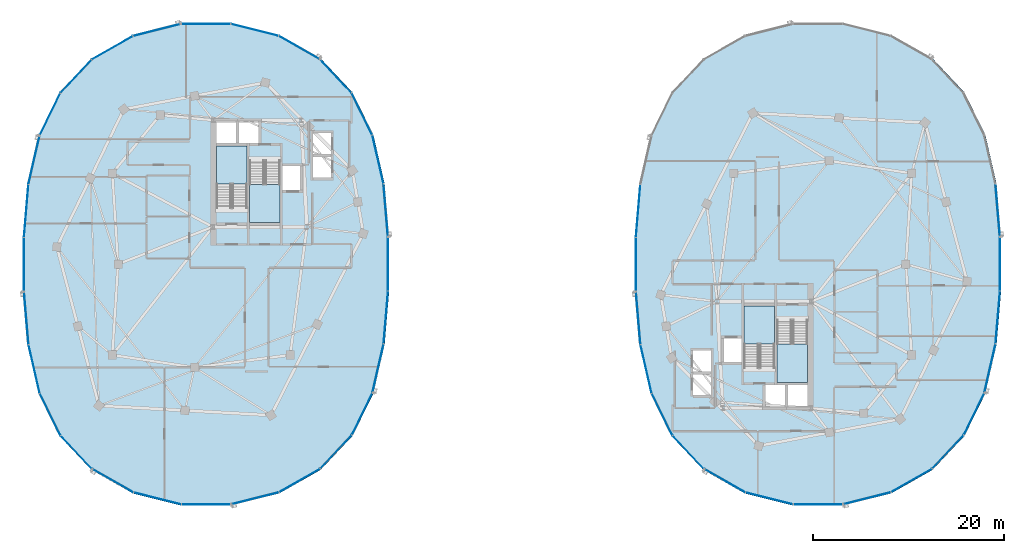
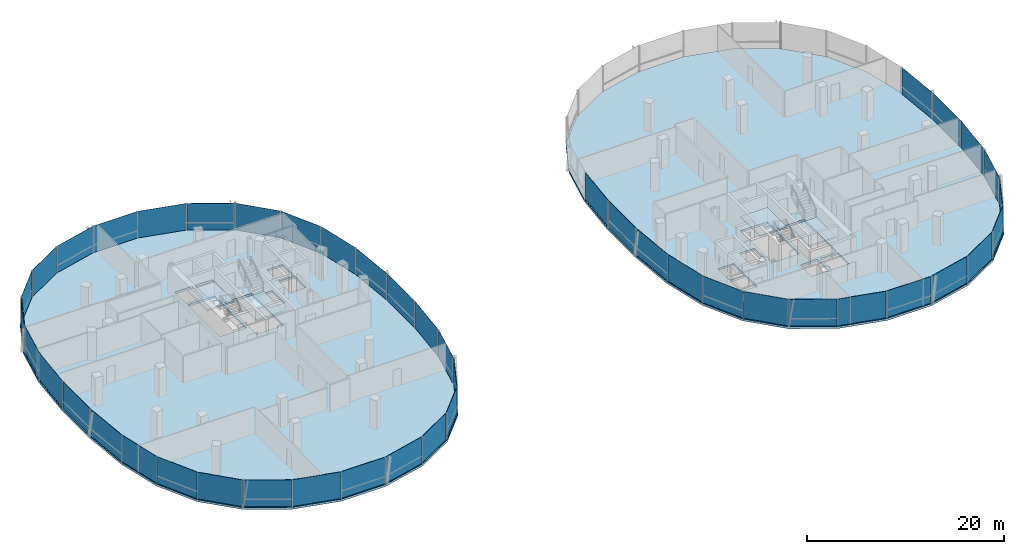
# One storey, part 13 of 25: 45 plates, 6 slabs, 12 elements without a shape of their own.
"""IFC4 building model written with IfcOpenShell, lengths in metres."""

from ifc_helpers import new_model, si_unit, direction, frame, origin, origin_2d, place, context, subcontext, project, spatial, polyline, rectangle, outline, extrude, material, layer, layer_set, type_object, element, aggregate, save


model = new_model("IFC4")

# Units and contexts
model_context = context("Model", 3, precision=1e-05, world=origin(), true_north=direction((0.0, 1.0)))
body_context = subcontext(model_context, "Body", "Model", "MODEL_VIEW")
ifc_project = project(units=[si_unit("LENGTHUNIT", "METRE"), si_unit("AREAUNIT", "SQUARE_METRE"), si_unit("VOLUMEUNIT", "CUBIC_METRE"), si_unit("PLANEANGLEUNIT", "RADIAN"), si_unit("MASSUNIT", "GRAM", prefix="KILO"), si_unit("THERMODYNAMICTEMPERATUREUNIT", "KELVIN"), si_unit("POWERUNIT", "WATT")], contexts=[model_context])

# Site, building, storey
site_placement = place(None, origin())
site = spatial("IfcSite", under=ifc_project, at=site_placement, CompositionType="ELEMENT")
building_placement = place(site_placement, origin())
building = spatial("IfcBuilding", under=site, at=building_placement, Name="Cundina Bronze Exchange", CompositionType="ELEMENT")
storey_placement = place(building_placement, frame((0.0, 0.0, 217.0)))
storey = spatial("IfcBuildingStorey", under=building, at=storey_placement, Name="L57", CompositionType="ELEMENT", Elevation=217.0)

# Curtain wall, plates
ifc_material_1 = material(Name="Anodised Bronze Aluminium 6063-T6", Category="aluminium")
curtain_wall_type = type_object("IfcCurtainWallType", Name="CWS-UPP-OFF", PredefinedType="NOTDEFINED", material=ifc_material_1)
curtain_wall_1_placement = place(storey_placement, origin())
curtain_wall_1 = element("IfcCurtainWall", 1, at=curtain_wall_1_placement, inside=storey, type_object=curtain_wall_type, Name="L57 CW-05 Curtain Wall Run CWR-L57-W1", PredefinedType="NOTDEFINED")
ifc_material_2 = material(Name="Heat-Strengthened Solar-Control Bronze Safety Glass 28mm", Category="glass")
ifc_layer_1 = layer(ifc_material_2, 0.028076171875, Name="Heat-Strengthened Solar-Control Bronze Safety Glass 28mm", Category="glass")
ifc_layer_set_1 = layer_set([ifc_layer_1], Name="Heat-Strengthened Solar-Control Bronze Safety Glass 28mm")
plate_type_1 = type_object("IfcPlateType", Name="PLT-GLZ-VIS28", PredefinedType="CURTAIN_PANEL", material=ifc_layer_set_1)
plate_1_placement = place(storey_placement, frame((-13.198486328125, 5.60693359375, 0.02001953125), z_axis=(0.0, 0.0, 1.0), x_axis=(-0.083747411454, 0.996487015006, 0.0)))
plate_1 = element("IfcPlate", 2, at=plate_1_placement, type_object=plate_type_1, Name="CW-05 Glazed Panel 1", PredefinedType="CURTAIN_PANEL", context=body_context, shape_type="SweptSolid", body=[
    extrude(rectangle(XDim=5.474609375, YDim=0.028076171875, at=origin_2d()), origin(), (0.0, 0.0, 1.0), 3.300048828125),
])
plate_2_placement = place(storey_placement, frame((-14.01611328125, 10.92578125, 0.02001953125), z_axis=(0.0, 0.0, 1.0), x_axis=(-0.223284141459, 0.974753400698, 0.0)))
plate_2 = element("IfcPlate", 3, at=plate_2_placement, type_object=plate_type_1, Name="CW-05 Glazed Panel 2", PredefinedType="CURTAIN_PANEL", context=body_context, shape_type="SweptSolid", body=[
    extrude(rectangle(XDim=5.167724609375, YDim=0.028076171875, at=origin_2d()), origin(), (0.0, 0.0, 1.0), 3.300048828125),
])
plate_3_placement = place(storey_placement, frame((-18.4208984375, 19.6552734375, 0.02001953125), z_axis=(0.0, 0.0, 1.0), x_axis=(-0.684343512797, 0.72915976061, 0.0)))
plate_3 = element("IfcPlate", 4, at=plate_3_placement, type_object=plate_type_1, Name="CW-05 Glazed Panel 4", PredefinedType="CURTAIN_PANEL", context=body_context, shape_type="SweptSolid", body=[
    extrude(rectangle(XDim=4.773193359375, YDim=0.028076171875, at=origin_2d()), origin(), (0.0, 0.0, 1.0), 3.300048828125),
])
plate_4_placement = place(storey_placement, frame((-22.230712890625, 22.64111328125, 0.02001953125), z_axis=(0.0, 0.0, 1.0), x_axis=(-0.869572506985, 0.493805280547, 0.0)))
plate_4 = element("IfcPlate", 5, at=plate_4_placement, type_object=plate_type_1, Name="CW-05 Glazed Panel 5", PredefinedType="CURTAIN_PANEL", context=body_context, shape_type="SweptSolid", body=[
    extrude(rectangle(XDim=4.907958984375, YDim=0.028076171875, at=origin_2d()), origin(), (0.0, 0.0, 1.0), 3.300048828125),
])
plate_5_placement = place(storey_placement, frame((-26.88720703125, 24.49609375, 0.02001953125), z_axis=(0.0, 0.0, 1.0), x_axis=(-0.969731542251, 0.244173577528, 0.0)))
plate_5 = element("IfcPlate", 6, at=plate_5_placement, type_object=plate_type_1, Name="CW-05 Glazed Panel 6", PredefinedType="CURTAIN_PANEL", context=body_context, shape_type="SweptSolid", body=[
    extrude(rectangle(XDim=5.0908203125, YDim=0.028076171875, at=origin_2d()), origin(), (0.0, 0.0, 1.0), 3.300048828125),
])
plate_6_placement = place(storey_placement, frame((-32.0, 25.125, 0.02001953125), z_axis=(0.0, 0.0, 1.0), x_axis=(-1.0, 0.0, 0.0)))
plate_6 = element("IfcPlate", 7, at=plate_6_placement, type_object=plate_type_1, Name="CW-05 Glazed Panel 7", PredefinedType="CURTAIN_PANEL", context=body_context, shape_type="SweptSolid", body=[
    extrude(rectangle(XDim=5.16796875, YDim=0.028076171875, at=origin_2d()), origin(), (0.0, 0.0, 1.0), 3.300048828125),
])

curtain_wall_2_placement = place(storey_placement, origin())
curtain_wall_2 = element("IfcCurtainWall", 8, at=curtain_wall_2_placement, inside=storey, type_object=curtain_wall_type, Name="L57 CW-05 Curtain Wall Run CWR-L57-W2", PredefinedType="NOTDEFINED")
plate_7_placement = place(storey_placement, frame((-37.11279296875, 24.49609375, 0.02001953125), z_axis=(0.0, 0.0, 1.0), x_axis=(-0.969731542251, -0.244173577528, 0.0)))
plate_7 = element("IfcPlate", 9, at=plate_7_placement, type_object=plate_type_1, Name="CW-05 Glazed Panel 1", PredefinedType="CURTAIN_PANEL", context=body_context, shape_type="SweptSolid", body=[
    extrude(rectangle(XDim=5.0908203125, YDim=0.028076171875, at=origin_2d()), origin(), (0.0, 0.0, 1.0), 3.300048828125),
])
plate_8_placement = place(storey_placement, frame((-45.5791015625, 19.6552734375, 0.02001953125), z_axis=(0.0, 0.0, 1.0), x_axis=(-0.684343512797, -0.72915976061, 0.0)))
plate_8 = element("IfcPlate", 10, at=plate_8_placement, type_object=plate_type_1, Name="CW-05 Glazed Panel 3", PredefinedType="CURTAIN_PANEL", context=body_context, shape_type="SweptSolid", body=[
    extrude(rectangle(XDim=4.773193359375, YDim=0.028076171875, at=origin_2d()), origin(), (0.0, 0.0, 1.0), 3.300048828125),
])
plate_9_placement = place(storey_placement, frame((-48.314697265625, 15.686767578125, 0.02001953125), z_axis=(0.0, 0.0, 1.0), x_axis=(-0.440503330345, -0.897750976582, 0.0)))
plate_9 = element("IfcPlate", 11, at=plate_9_placement, type_object=plate_type_1, Name="CW-05 Glazed Panel 4", PredefinedType="CURTAIN_PANEL", context=body_context, shape_type="SweptSolid", body=[
    extrude(rectangle(XDim=4.863525390625, YDim=0.028076171875, at=origin_2d()), origin(), (0.0, 0.0, 1.0), 3.300048828125),
])
plate_10_placement = place(storey_placement, frame((-49.98388671875, 10.92578125, 0.02001953125), z_axis=(0.0, 0.0, 1.0), x_axis=(-0.223284141459, -0.974753400698, 0.0)))
plate_10 = element("IfcPlate", 12, at=plate_10_placement, type_object=plate_type_1, Name="CW-05 Glazed Panel 5", PredefinedType="CURTAIN_PANEL", context=body_context, shape_type="SweptSolid", body=[
    extrude(rectangle(XDim=5.167724609375, YDim=0.028076171875, at=origin_2d()), origin(), (0.0, 0.0, 1.0), 3.300048828125),
])
plate_11_placement = place(storey_placement, frame((-50.801513671875, 5.60693359375, 0.02001953125), z_axis=(0.0, 0.0, 1.0), x_axis=(-0.083747411454, -0.996487015006, 0.0)))
plate_11 = element("IfcPlate", 13, at=plate_11_placement, type_object=plate_type_1, Name="CW-05 Glazed Panel 6", PredefinedType="CURTAIN_PANEL", context=body_context, shape_type="SweptSolid", body=[
    extrude(rectangle(XDim=5.474609375, YDim=0.028076171875, at=origin_2d()), origin(), (0.0, 0.0, 1.0), 3.300048828125),
])

curtain_wall_3_placement = place(storey_placement, origin())
curtain_wall_3 = element("IfcCurtainWall", 14, at=curtain_wall_3_placement, inside=storey, type_object=curtain_wall_type, Name="L57 CW-05 Curtain Wall Run CWR-L57-W3", PredefinedType="NOTDEFINED")
plate_12_placement = place(storey_placement, frame((-49.98388671875, -10.92578125, 0.02001953125), z_axis=(0.0, 0.0, 1.0), x_axis=(0.223284141459, -0.974753400698, 0.0)))
plate_12 = element("IfcPlate", 15, at=plate_12_placement, type_object=plate_type_1, Name="CW-05 Glazed Panel 2", PredefinedType="CURTAIN_PANEL", context=body_context, shape_type="SweptSolid", body=[
    extrude(rectangle(XDim=5.167724609375, YDim=0.028076171875, at=origin_2d()), origin(), (0.0, 0.0, 1.0), 3.300048828125),
])
plate_13_placement = place(storey_placement, frame((-48.314697265625, -15.686767578125, 0.02001953125), z_axis=(0.0, 0.0, 1.0), x_axis=(0.440503330345, -0.897750976582, 0.0)))
plate_13 = element("IfcPlate", 16, at=plate_13_placement, type_object=plate_type_1, Name="CW-05 Glazed Panel 3", PredefinedType="CURTAIN_PANEL", context=body_context, shape_type="SweptSolid", body=[
    extrude(rectangle(XDim=4.863525390625, YDim=0.028076171875, at=origin_2d()), origin(), (0.0, 0.0, 1.0), 3.300048828125),
])
plate_14_placement = place(storey_placement, frame((-45.5791015625, -19.6552734375, 0.02001953125), z_axis=(0.0, 0.0, 1.0), x_axis=(0.684343512797, -0.72915976061, 0.0)))
plate_14 = element("IfcPlate", 17, at=plate_14_placement, type_object=plate_type_1, Name="CW-05 Glazed Panel 4", PredefinedType="CURTAIN_PANEL", context=body_context, shape_type="SweptSolid", body=[
    extrude(rectangle(XDim=4.773193359375, YDim=0.028076171875, at=origin_2d()), origin(), (0.0, 0.0, 1.0), 3.300048828125),
])
plate_15_placement = place(storey_placement, frame((-41.769287109375, -22.64111328125, 0.02001953125), z_axis=(0.0, 0.0, 1.0), x_axis=(0.869572506985, -0.493805280547, 0.0)))
plate_15 = element("IfcPlate", 18, at=plate_15_placement, type_object=plate_type_1, Name="CW-05 Glazed Panel 5", PredefinedType="CURTAIN_PANEL", context=body_context, shape_type="SweptSolid", body=[
    extrude(rectangle(XDim=4.907958984375, YDim=0.028076171875, at=origin_2d()), origin(), (0.0, 0.0, 1.0), 3.300048828125),
])
plate_16_placement = place(storey_placement, frame((-32.0, -25.125, 0.02001953125), z_axis=(0.0, 0.0, 1.0), x_axis=(1.0, 0.0, 0.0)))
plate_16 = element("IfcPlate", 19, at=plate_16_placement, type_object=plate_type_1, Name="CW-05 Glazed Panel 7", PredefinedType="CURTAIN_PANEL", context=body_context, shape_type="SweptSolid", body=[
    extrude(rectangle(XDim=5.16796875, YDim=0.028076171875, at=origin_2d()), origin(), (0.0, 0.0, 1.0), 3.300048828125),
])

curtain_wall_4_placement = place(storey_placement, origin())
curtain_wall_4 = element("IfcCurtainWall", 20, at=curtain_wall_4_placement, inside=storey, type_object=curtain_wall_type, Name="L57 CW-05 Curtain Wall Run CWR-L57-W4", PredefinedType="NOTDEFINED")
plate_17_placement = place(storey_placement, frame((-26.88720703125, -24.49609375, 0.02001953125), z_axis=(0.0, 0.0, 1.0), x_axis=(0.969731542251, 0.244173577528, 0.0)))
plate_17 = element("IfcPlate", 21, at=plate_17_placement, type_object=plate_type_1, Name="CW-05 Glazed Panel 1", PredefinedType="CURTAIN_PANEL", context=body_context, shape_type="SweptSolid", body=[
    extrude(rectangle(XDim=5.0908203125, YDim=0.028076171875, at=origin_2d()), origin(), (0.0, 0.0, 1.0), 3.300048828125),
])
plate_18_placement = place(storey_placement, frame((-22.230712890625, -22.64111328125, 0.02001953125), z_axis=(0.0, 0.0, 1.0), x_axis=(0.869572506985, 0.493805280547, 0.0)))
plate_18 = element("IfcPlate", 22, at=plate_18_placement, type_object=plate_type_1, Name="CW-05 Glazed Panel 2", PredefinedType="CURTAIN_PANEL", context=body_context, shape_type="SweptSolid", body=[
    extrude(rectangle(XDim=4.907958984375, YDim=0.028076171875, at=origin_2d()), origin(), (0.0, 0.0, 1.0), 3.300048828125),
])
plate_19_placement = place(storey_placement, frame((-18.4208984375, -19.6552734375, 0.02001953125), z_axis=(0.0, 0.0, 1.0), x_axis=(0.684343512797, 0.72915976061, 0.0)))
plate_19 = element("IfcPlate", 23, at=plate_19_placement, type_object=plate_type_1, Name="CW-05 Glazed Panel 3", PredefinedType="CURTAIN_PANEL", context=body_context, shape_type="SweptSolid", body=[
    extrude(rectangle(XDim=4.773193359375, YDim=0.028076171875, at=origin_2d()), origin(), (0.0, 0.0, 1.0), 3.300048828125),
])
plate_20_placement = place(storey_placement, frame((-15.685302734375, -15.686767578125, 0.02001953125), z_axis=(0.0, 0.0, 1.0), x_axis=(0.440503330345, 0.897750976582, 0.0)))
plate_20 = element("IfcPlate", 24, at=plate_20_placement, type_object=plate_type_1, Name="CW-05 Glazed Panel 4", PredefinedType="CURTAIN_PANEL", context=body_context, shape_type="SweptSolid", body=[
    extrude(rectangle(XDim=4.863525390625, YDim=0.028076171875, at=origin_2d()), origin(), (0.0, 0.0, 1.0), 3.300048828125),
])
plate_21_placement = place(storey_placement, frame((-13.198486328125, -5.60693359375, 0.02001953125), z_axis=(0.0, 0.0, 1.0), x_axis=(0.083747411454, 0.996487015006, 0.0)))
plate_21 = element("IfcPlate", 25, at=plate_21_placement, type_object=plate_type_1, Name="CW-05 Glazed Panel 6", PredefinedType="CURTAIN_PANEL", context=body_context, shape_type="SweptSolid", body=[
    extrude(rectangle(XDim=5.474609375, YDim=0.028076171875, at=origin_2d()), origin(), (0.0, 0.0, 1.0), 3.300048828125),
])
plate_22_placement = place(storey_placement, frame((-12.966064453125, 0.0, 0.02001953125), z_axis=(0.0, 0.0, 1.0), x_axis=(0.0, 1.0, 0.0)))
plate_22 = element("IfcPlate", 26, at=plate_22_placement, type_object=plate_type_1, Name="CW-05 Glazed Panel 7", PredefinedType="CURTAIN_PANEL", context=body_context, shape_type="SweptSolid", body=[
    extrude(rectangle(XDim=5.597900390625, YDim=0.028076171875, at=origin_2d()), origin(), (0.0, 0.0, 1.0), 3.300048828125),
])

# Curtain wall, plate
curtain_wall_5_placement = place(storey_placement, origin())
curtain_wall_5 = element("IfcCurtainWall", 27, at=curtain_wall_5_placement, inside=storey, type_object=curtain_wall_type, Name="L57 CW-05 Curtain Wall Run CWR-L57-E1", PredefinedType="NOTDEFINED")
plate_23_placement = place(storey_placement, frame((50.801513671875, 5.60693359375, 0.02001953125), z_axis=(0.0, 0.0, 1.0), x_axis=(-0.083747411454, 0.996487015006, 0.0)))
plate_23 = element("IfcPlate", 28, at=plate_23_placement, type_object=plate_type_1, Name="CW-05 Glazed Panel 1", PredefinedType="CURTAIN_PANEL", context=body_context, shape_type="SweptSolid", body=[
    extrude(rectangle(XDim=5.474609375, YDim=0.028076171875, at=origin_2d()), origin(), (0.0, 0.0, 1.0), 3.300048828125),
])
aggregate(curtain_wall_5, [plate_23])

curtain_wall_6_placement = place(storey_placement, origin())
curtain_wall_6 = element("IfcCurtainWall", 29, at=curtain_wall_6_placement, inside=storey, type_object=curtain_wall_type, Name="L57 CW-05 Curtain Wall Run CWR-L57-E2", PredefinedType="NOTDEFINED")
plate_24_placement = place(storey_placement, frame((13.198486328125, 5.60693359375, 0.02001953125), z_axis=(0.0, 0.0, 1.0), x_axis=(-0.083747411454, -0.996487015006, 0.0)))
plate_24 = element("IfcPlate", 30, at=plate_24_placement, type_object=plate_type_1, Name="CW-05 Glazed Panel 6", PredefinedType="CURTAIN_PANEL", context=body_context, shape_type="SweptSolid", body=[
    extrude(rectangle(XDim=5.474609375, YDim=0.028076171875, at=origin_2d()), origin(), (0.0, 0.0, 1.0), 3.300048828125),
])

# Curtain wall, plates
curtain_wall_7_placement = place(storey_placement, origin())
curtain_wall_7 = element("IfcCurtainWall", 31, at=curtain_wall_7_placement, inside=storey, type_object=curtain_wall_type, Name="L57 CW-05 Curtain Wall Run CWR-L57-E3", PredefinedType="NOTDEFINED")
plate_25_placement = place(storey_placement, frame((14.01611328125, -10.92578125, 0.02001953125), z_axis=(0.0, 0.0, 1.0), x_axis=(0.223284141459, -0.974753400698, 0.0)))
plate_25 = element("IfcPlate", 32, at=plate_25_placement, type_object=plate_type_1, Name="CW-05 Glazed Panel 2", PredefinedType="CURTAIN_PANEL", context=body_context, shape_type="SweptSolid", body=[
    extrude(rectangle(XDim=5.167724609375, YDim=0.028076171875, at=origin_2d()), origin(), (0.0, 0.0, 1.0), 3.300048828125),
])
plate_26_placement = place(storey_placement, frame((15.685302734375, -15.686767578125, 0.02001953125), z_axis=(0.0, 0.0, 1.0), x_axis=(0.440503330345, -0.897750976582, 0.0)))
plate_26 = element("IfcPlate", 33, at=plate_26_placement, type_object=plate_type_1, Name="CW-05 Glazed Panel 3", PredefinedType="CURTAIN_PANEL", context=body_context, shape_type="SweptSolid", body=[
    extrude(rectangle(XDim=4.863525390625, YDim=0.028076171875, at=origin_2d()), origin(), (0.0, 0.0, 1.0), 3.300048828125),
])
plate_27_placement = place(storey_placement, frame((18.4208984375, -19.6552734375, 0.02001953125), z_axis=(0.0, 0.0, 1.0), x_axis=(0.684343512797, -0.72915976061, 0.0)))
plate_27 = element("IfcPlate", 34, at=plate_27_placement, type_object=plate_type_1, Name="CW-05 Glazed Panel 4", PredefinedType="CURTAIN_PANEL", context=body_context, shape_type="SweptSolid", body=[
    extrude(rectangle(XDim=4.773193359375, YDim=0.028076171875, at=origin_2d()), origin(), (0.0, 0.0, 1.0), 3.300048828125),
])
plate_28_placement = place(storey_placement, frame((22.230712890625, -22.64111328125, 0.02001953125), z_axis=(0.0, 0.0, 1.0), x_axis=(0.869572506985, -0.493805280547, 0.0)))
plate_28 = element("IfcPlate", 35, at=plate_28_placement, type_object=plate_type_1, Name="CW-05 Glazed Panel 5", PredefinedType="CURTAIN_PANEL", context=body_context, shape_type="SweptSolid", body=[
    extrude(rectangle(XDim=4.907958984375, YDim=0.028076171875, at=origin_2d()), origin(), (0.0, 0.0, 1.0), 3.300048828125),
])
plate_29_placement = place(storey_placement, frame((32.0, -25.125, 0.02001953125), z_axis=(0.0, 0.0, 1.0), x_axis=(1.0, 0.0, 0.0)))
plate_29 = element("IfcPlate", 36, at=plate_29_placement, type_object=plate_type_1, Name="CW-05 Glazed Panel 7", PredefinedType="CURTAIN_PANEL", context=body_context, shape_type="SweptSolid", body=[
    extrude(rectangle(XDim=5.16796875, YDim=0.028076171875, at=origin_2d()), origin(), (0.0, 0.0, 1.0), 3.300048828125),
])

curtain_wall_8_placement = place(storey_placement, origin())
curtain_wall_8 = element("IfcCurtainWall", 37, at=curtain_wall_8_placement, inside=storey, type_object=curtain_wall_type, Name="L57 CW-05 Curtain Wall Run CWR-L57-E4", PredefinedType="NOTDEFINED")
plate_30_placement = place(storey_placement, frame((37.11279296875, -24.49609375, 0.02001953125), z_axis=(0.0, 0.0, 1.0), x_axis=(0.969731542251, 0.244173577528, 0.0)))
plate_30 = element("IfcPlate", 38, at=plate_30_placement, type_object=plate_type_1, Name="CW-05 Glazed Panel 1", PredefinedType="CURTAIN_PANEL", context=body_context, shape_type="SweptSolid", body=[
    extrude(rectangle(XDim=5.0908203125, YDim=0.028076171875, at=origin_2d()), origin(), (0.0, 0.0, 1.0), 3.300048828125),
])
plate_31_placement = place(storey_placement, frame((41.769287109375, -22.64111328125, 0.02001953125), z_axis=(0.0, 0.0, 1.0), x_axis=(0.869572506985, 0.493805280547, 0.0)))
plate_31 = element("IfcPlate", 39, at=plate_31_placement, type_object=plate_type_1, Name="CW-05 Glazed Panel 2", PredefinedType="CURTAIN_PANEL", context=body_context, shape_type="SweptSolid", body=[
    extrude(rectangle(XDim=4.907958984375, YDim=0.028076171875, at=origin_2d()), origin(), (0.0, 0.0, 1.0), 3.300048828125),
])
plate_32_placement = place(storey_placement, frame((45.5791015625, -19.6552734375, 0.02001953125), z_axis=(0.0, 0.0, 1.0), x_axis=(0.684343512797, 0.72915976061, 0.0)))
plate_32 = element("IfcPlate", 40, at=plate_32_placement, type_object=plate_type_1, Name="CW-05 Glazed Panel 3", PredefinedType="CURTAIN_PANEL", context=body_context, shape_type="SweptSolid", body=[
    extrude(rectangle(XDim=4.773193359375, YDim=0.028076171875, at=origin_2d()), origin(), (0.0, 0.0, 1.0), 3.300048828125),
])
plate_33_placement = place(storey_placement, frame((48.314697265625, -15.686767578125, 0.02001953125), z_axis=(0.0, 0.0, 1.0), x_axis=(0.440503330345, 0.897750976582, 0.0)))
plate_33 = element("IfcPlate", 41, at=plate_33_placement, type_object=plate_type_1, Name="CW-05 Glazed Panel 4", PredefinedType="CURTAIN_PANEL", context=body_context, shape_type="SweptSolid", body=[
    extrude(rectangle(XDim=4.863525390625, YDim=0.028076171875, at=origin_2d()), origin(), (0.0, 0.0, 1.0), 3.300048828125),
])
plate_34_placement = place(storey_placement, frame((50.801513671875, -5.60693359375, 0.02001953125), z_axis=(0.0, 0.0, 1.0), x_axis=(0.083747411454, 0.996487015006, 0.0)))
plate_34 = element("IfcPlate", 42, at=plate_34_placement, type_object=plate_type_1, Name="CW-05 Glazed Panel 6", PredefinedType="CURTAIN_PANEL", context=body_context, shape_type="SweptSolid", body=[
    extrude(rectangle(XDim=5.474609375, YDim=0.028076171875, at=origin_2d()), origin(), (0.0, 0.0, 1.0), 3.300048828125),
])
plate_35_placement = place(storey_placement, frame((51.033935546875, 0.0, 0.02001953125), z_axis=(0.0, 0.0, 1.0), x_axis=(0.0, 1.0, 0.0)))
plate_35 = element("IfcPlate", 43, at=plate_35_placement, type_object=plate_type_1, Name="CW-05 Glazed Panel 7", PredefinedType="CURTAIN_PANEL", context=body_context, shape_type="SweptSolid", body=[
    extrude(rectangle(XDim=5.597900390625, YDim=0.028076171875, at=origin_2d()), origin(), (0.0, 0.0, 1.0), 3.300048828125),
])

# Plate
ifc_material_3 = material(Name="Dark Bronze Spandrel Glass Panel 32mm", Category="glass")
ifc_layer_2 = layer(ifc_material_3, 0.031982421875, Name="Dark Bronze Spandrel Glass Panel 32mm", Category="glass")
ifc_layer_set_2 = layer_set([ifc_layer_2], Name="Dark Bronze Spandrel Glass Panel 32mm")
plate_type_2 = type_object("IfcPlateType", Name="PLT-SPN-BRZ32", PredefinedType="CURTAIN_PANEL", material=ifc_layer_set_2)
plate_36_placement = place(storey_placement, frame((-15.685302734375, 15.686767578125, 0.02001953125), z_axis=(0.0, 0.0, 1.0), x_axis=(-0.440503330345, 0.897750976582, 0.0)))
plate_36 = element("IfcPlate", 44, at=plate_36_placement, type_object=plate_type_2, Name="CW-05 Glazed Panel 3", PredefinedType="CURTAIN_PANEL", context=body_context, shape_type="SweptSolid", body=[
    extrude(rectangle(XDim=4.863525390625, YDim=0.031982421875, at=origin_2d()), origin(), (0.0, 0.0, 1.0), 3.300048828125),
])

aggregate(curtain_wall_1, [plate_1, plate_2, plate_36, plate_3, plate_4, plate_5, plate_6])

plate_37_placement = place(storey_placement, frame((-41.769287109375, 22.64111328125, 0.02001953125), z_axis=(0.0, 0.0, 1.0), x_axis=(-0.869572506985, -0.493805280547, 0.0)))
plate_37 = element("IfcPlate", 45, at=plate_37_placement, type_object=plate_type_2, Name="CW-05 Glazed Panel 2", PredefinedType="CURTAIN_PANEL", context=body_context, shape_type="SweptSolid", body=[
    extrude(rectangle(XDim=4.907958984375, YDim=0.031982421875, at=origin_2d()), origin(), (0.0, 0.0, 1.0), 3.300048828125),
])

plate_38_placement = place(storey_placement, frame((-51.033935546875, 0.0, 0.02001953125), z_axis=(0.0, 0.0, 1.0), x_axis=(0.0, -1.0, 0.0)))
plate_38 = element("IfcPlate", 46, at=plate_38_placement, type_object=plate_type_2, Name="CW-05 Glazed Panel 7", PredefinedType="CURTAIN_PANEL", context=body_context, shape_type="SweptSolid", body=[
    extrude(rectangle(XDim=5.597900390625, YDim=0.031982421875, at=origin_2d()), origin(), (0.0, 0.0, 1.0), 3.300048828125),
])

aggregate(curtain_wall_2, [plate_7, plate_37, plate_8, plate_9, plate_10, plate_11, plate_38])

plate_39_placement = place(storey_placement, frame((-50.801513671875, -5.60693359375, 0.02001953125), z_axis=(0.0, 0.0, 1.0), x_axis=(0.083747411454, -0.996487015006, 0.0)))
plate_39 = element("IfcPlate", 47, at=plate_39_placement, type_object=plate_type_2, Name="CW-05 Glazed Panel 1", PredefinedType="CURTAIN_PANEL", context=body_context, shape_type="SweptSolid", body=[
    extrude(rectangle(XDim=5.474609375, YDim=0.031982421875, at=origin_2d()), origin(), (0.0, 0.0, 1.0), 3.300048828125),
])

plate_40_placement = place(storey_placement, frame((-37.11279296875, -24.49609375, 0.02001953125), z_axis=(0.0, 0.0, 1.0), x_axis=(0.969731542251, -0.244173577528, 0.0)))
plate_40 = element("IfcPlate", 48, at=plate_40_placement, type_object=plate_type_2, Name="CW-05 Glazed Panel 6", PredefinedType="CURTAIN_PANEL", context=body_context, shape_type="SweptSolid", body=[
    extrude(rectangle(XDim=5.0908203125, YDim=0.031982421875, at=origin_2d()), origin(), (0.0, 0.0, 1.0), 3.300048828125),
])

aggregate(curtain_wall_3, [plate_39, plate_12, plate_13, plate_14, plate_15, plate_40, plate_16])

plate_41_placement = place(storey_placement, frame((-14.01611328125, -10.92578125, 0.02001953125), z_axis=(0.0, 0.0, 1.0), x_axis=(0.223284141459, 0.974753400698, 0.0)))
plate_41 = element("IfcPlate", 49, at=plate_41_placement, type_object=plate_type_2, Name="CW-05 Glazed Panel 5", PredefinedType="CURTAIN_PANEL", context=body_context, shape_type="SweptSolid", body=[
    extrude(rectangle(XDim=5.167724609375, YDim=0.031982421875, at=origin_2d()), origin(), (0.0, 0.0, 1.0), 3.300048828125),
])

aggregate(curtain_wall_4, [plate_17, plate_18, plate_19, plate_20, plate_41, plate_21, plate_22])

plate_42_placement = place(storey_placement, frame((12.966064453125, 0.0, 0.02001953125), z_axis=(0.0, 0.0, 1.0), x_axis=(0.0, -1.0, 0.0)))
plate_42 = element("IfcPlate", 50, at=plate_42_placement, type_object=plate_type_2, Name="CW-05 Glazed Panel 7", PredefinedType="CURTAIN_PANEL", context=body_context, shape_type="SweptSolid", body=[
    extrude(rectangle(XDim=5.597900390625, YDim=0.031982421875, at=origin_2d()), origin(), (0.0, 0.0, 1.0), 3.300048828125),
])

aggregate(curtain_wall_6, [plate_24, plate_42])

plate_43_placement = place(storey_placement, frame((13.198486328125, -5.60693359375, 0.02001953125), z_axis=(0.0, 0.0, 1.0), x_axis=(0.083747411454, -0.996487015006, 0.0)))
plate_43 = element("IfcPlate", 51, at=plate_43_placement, type_object=plate_type_2, Name="CW-05 Glazed Panel 1", PredefinedType="CURTAIN_PANEL", context=body_context, shape_type="SweptSolid", body=[
    extrude(rectangle(XDim=5.474609375, YDim=0.031982421875, at=origin_2d()), origin(), (0.0, 0.0, 1.0), 3.300048828125),
])

plate_44_placement = place(storey_placement, frame((26.88720703125, -24.49609375, 0.02001953125), z_axis=(0.0, 0.0, 1.0), x_axis=(0.969731542251, -0.244173577528, 0.0)))
plate_44 = element("IfcPlate", 52, at=plate_44_placement, type_object=plate_type_2, Name="CW-05 Glazed Panel 6", PredefinedType="CURTAIN_PANEL", context=body_context, shape_type="SweptSolid", body=[
    extrude(rectangle(XDim=5.0908203125, YDim=0.031982421875, at=origin_2d()), origin(), (0.0, 0.0, 1.0), 3.300048828125),
])

aggregate(curtain_wall_7, [plate_43, plate_25, plate_26, plate_27, plate_28, plate_44, plate_29])

plate_45_placement = place(storey_placement, frame((49.98388671875, -10.92578125, 0.02001953125), z_axis=(0.0, 0.0, 1.0), x_axis=(0.223284141459, 0.974753400698, 0.0)))
plate_45 = element("IfcPlate", 53, at=plate_45_placement, type_object=plate_type_2, Name="CW-05 Glazed Panel 5", PredefinedType="CURTAIN_PANEL", context=body_context, shape_type="SweptSolid", body=[
    extrude(rectangle(XDim=5.167724609375, YDim=0.031982421875, at=origin_2d()), origin(), (0.0, 0.0, 1.0), 3.300048828125),
])

aggregate(curtain_wall_8, [plate_30, plate_31, plate_32, plate_33, plate_45, plate_34, plate_35])

# Stair, slab
ifc_material_4 = material(Name="Concrete C40/50", Category="concrete")
stair_type = type_object("IfcStairType", Name="STR-OFF-360", PredefinedType="HALF_TURN_STAIR", material=ifc_material_4)
stair_1_placement = place(storey_placement, origin())
stair_1 = element("IfcStair", 54, at=stair_1_placement, inside=storey, type_object=stair_type, Name="L57 Smokeproof Exit Stair W1", PredefinedType="HALF_TURN_STAIR")
ifc_layer_3 = layer(ifc_material_4, 0.199951171875, Name="Concrete C40/50", Category="concrete")
ifc_layer_set_3 = layer_set([ifc_layer_3], Name="Concrete C40/50")
slab_type_1 = type_object("IfcSlabType", Name="SLB-LND-200", PredefinedType="LANDING", material=ifc_layer_set_3)
slab_1_placement = place(storey_placement, frame((0.0, 0.0, 1.60009765625)))
slab_1 = element("IfcSlab", 55, at=slab_1_placement, type_object=slab_type_1, Name="ST-W1 landing 1", PredefinedType="LANDING", context=body_context, shape_type="SweptSolid", body=[
    extrude(outline(polyline([(-27.739990234375, 8.3701171875), (-27.739990234375, 12.35009765625), (-30.89990234375, 12.35009765625), (-30.89990234375, 8.3701171875), (-27.739990234375, 8.3701171875)])), origin(), (0.0, 0.0, 1.0), 0.199951171875),
])
aggregate(stair_1, [slab_1])

stair_2_placement = place(storey_placement, origin())
stair_2 = element("IfcStair", 56, at=stair_2_placement, inside=storey, type_object=stair_type, Name="L57 Smokeproof Exit Stair W2", PredefinedType="HALF_TURN_STAIR")
slab_2_placement = place(storey_placement, frame((0.0, 0.0, 1.60009765625)))
slab_2 = element("IfcSlab", 57, at=slab_2_placement, type_object=slab_type_1, Name="ST-W2 landing 1", PredefinedType="LANDING", context=body_context, shape_type="SweptSolid", body=[
    extrude(outline(polyline([(-27.43994140625, 8.330078125), (-27.43994140625, 4.35009765625), (-24.280029296875, 4.35009765625), (-24.280029296875, 8.330078125), (-27.43994140625, 8.330078125)])), origin(), (0.0, 0.0, 1.0), 0.199951171875),
])
aggregate(stair_2, [slab_2])

stair_3_placement = place(storey_placement, origin())
stair_3 = element("IfcStair", 58, at=stair_3_placement, inside=storey, type_object=stair_type, Name="L57 Smokeproof Exit Stair E1", PredefinedType="HALF_TURN_STAIR")
slab_3_placement = place(storey_placement, frame((0.0, 0.0, 1.60009765625)))
slab_3 = element("IfcSlab", 59, at=slab_3_placement, type_object=slab_type_1, Name="ST-E1 landing 1", PredefinedType="LANDING", context=body_context, shape_type="SweptSolid", body=[
    extrude(outline(polyline([(27.739990234375, -8.3701171875), (27.739990234375, -12.35009765625), (30.89990234375, -12.35009765625), (30.89990234375, -8.3701171875), (27.739990234375, -8.3701171875)])), origin(), (0.0, 0.0, 1.0), 0.199951171875),
])
aggregate(stair_3, [slab_3])

stair_4_placement = place(storey_placement, origin())
stair_4 = element("IfcStair", 60, at=stair_4_placement, inside=storey, type_object=stair_type, Name="L57 Smokeproof Exit Stair E2", PredefinedType="HALF_TURN_STAIR")
slab_4_placement = place(storey_placement, frame((0.0, 0.0, 1.60009765625)))
slab_4 = element("IfcSlab", 61, at=slab_4_placement, type_object=slab_type_1, Name="ST-E2 landing 1", PredefinedType="LANDING", context=body_context, shape_type="SweptSolid", body=[
    extrude(outline(polyline([(27.43994140625, -8.330078125), (27.43994140625, -4.35009765625), (24.280029296875, -4.35009765625), (24.280029296875, -8.330078125), (27.43994140625, -8.330078125)])), origin(), (0.0, 0.0, 1.0), 0.199951171875),
])
aggregate(stair_4, [slab_4])

# Slabs
ifc_material_5 = material(Name="Concrete C50/60", Category="concrete")
ifc_layer_4 = layer(ifc_material_5, 0.260009765625, Name="Concrete C50/60", Category="concrete")
ifc_layer_set_4 = layer_set([ifc_layer_4], Name="Concrete C50/60")
slab_type_2 = type_object("IfcSlabType", Name="SLB-OFF-260", PredefinedType="FLOOR", material=ifc_layer_set_4)
slab_5_placement = place(storey_placement, frame((0.0, 0.0, -0.260009765625)))
element("IfcSlab", 62, at=slab_5_placement, inside=storey, type_object=slab_type_2, Name="L57 Leg W Structural Floor Slab", PredefinedType="FLOOR", context=body_context, shape_type="SweptSolid", body=[
    extrude(outline(polyline([(-12.85107421875, 2.843994140625), (-13.31689453125, 8.388916015625), (-14.490966796875, 13.513916015625), (-16.673095703125, 17.9609375), (-20.0009765625, 21.507080078125), (-24.346923828125, 23.97509765625), (-29.37109375, 25.239990234375), (-34.62890625, 25.239990234375), (-39.653076171875, 23.97509765625), (-43.9990234375, 21.507080078125), (-47.326904296875, 17.9609375), (-49.509033203125, 13.513916015625), (-50.68310546875, 8.388916015625), (-51.14892578125, 2.843994140625), (-51.14892578125, -2.843994140625), (-50.68310546875, -8.388916015625), (-49.509033203125, -13.513916015625), (-47.326904296875, -17.9609375), (-43.9990234375, -21.507080078125), (-39.653076171875, -23.97509765625), (-34.62890625, -25.239990234375), (-29.37109375, -25.239990234375), (-24.346923828125, -23.97509765625), (-20.0009765625, -21.507080078125), (-16.673095703125, -17.9609375), (-14.490966796875, -13.513916015625), (-13.31689453125, -8.388916015625), (-12.85107421875, -2.843994140625), (-12.85107421875, 2.843994140625)]), holes=[polyline([(-27.739990234375, 5.85009765625), (-27.739990234375, 12.35009765625), (-30.89990234375, 12.35009765625), (-30.89990234375, 5.85009765625), (-27.739990234375, 5.85009765625)]), polyline([(-27.43994140625, 10.85009765625), (-27.43994140625, 4.35009765625), (-24.280029296875, 4.35009765625), (-24.280029296875, 10.85009765625), (-27.43994140625, 10.85009765625)]), polyline([(-23.97998046875, 10.25), (-22.179931640625, 10.25), (-22.179931640625, 7.75), (-23.97998046875, 7.75), (-23.97998046875, 10.25)]), polyline([(-30.89990234375, 14.949951171875), (-28.85009765625, 14.949951171875), (-28.85009765625, 12.64990234375), (-30.89990234375, 12.64990234375), (-30.89990234375, 14.949951171875)]), polyline([(-28.550048828125, 14.949951171875), (-26.5, 14.949951171875), (-26.5, 12.64990234375), (-28.550048828125, 12.64990234375), (-28.550048828125, 14.949951171875)]), polyline([(-20.800048828125, 13.699951171875), (-18.949951171875, 13.699951171875), (-18.949951171875, 11.449951171875), (-20.800048828125, 11.449951171875), (-20.800048828125, 13.699951171875)]), polyline([(-20.800048828125, 11.300048828125), (-18.949951171875, 11.300048828125), (-18.949951171875, 9.050048828125), (-20.800048828125, 9.050048828125), (-20.800048828125, 11.300048828125)])]), origin(), (0.0, 0.0, 1.0), 0.260009765625),
])
slab_6_placement = place(storey_placement, frame((0.0, 0.0, -0.260009765625)))
element("IfcSlab", 63, at=slab_6_placement, inside=storey, type_object=slab_type_2, Name="L57 Leg E Structural Floor Slab", PredefinedType="FLOOR", context=body_context, shape_type="SweptSolid", body=[
    extrude(outline(polyline([(51.14892578125, 2.843994140625), (50.68310546875, 8.388916015625), (49.509033203125, 13.513916015625), (47.326904296875, 17.9609375), (43.9990234375, 21.507080078125), (39.653076171875, 23.97509765625), (34.62890625, 25.239990234375), (29.37109375, 25.239990234375), (24.346923828125, 23.97509765625), (20.0009765625, 21.507080078125), (16.673095703125, 17.9609375), (14.490966796875, 13.513916015625), (13.31689453125, 8.388916015625), (12.85107421875, 2.843994140625), (12.85107421875, -2.843994140625), (13.31689453125, -8.388916015625), (14.490966796875, -13.513916015625), (16.673095703125, -17.9609375), (20.0009765625, -21.507080078125), (24.346923828125, -23.97509765625), (29.37109375, -25.239990234375), (34.62890625, -25.239990234375), (39.653076171875, -23.97509765625), (43.9990234375, -21.507080078125), (47.326904296875, -17.9609375), (49.509033203125, -13.513916015625), (50.68310546875, -8.388916015625), (51.14892578125, -2.843994140625), (51.14892578125, 2.843994140625)]), holes=[polyline([(27.739990234375, -5.85009765625), (27.739990234375, -12.35009765625), (30.89990234375, -12.35009765625), (30.89990234375, -5.85009765625), (27.739990234375, -5.85009765625)]), polyline([(27.43994140625, -10.85009765625), (27.43994140625, -4.35009765625), (24.280029296875, -4.35009765625), (24.280029296875, -10.85009765625), (27.43994140625, -10.85009765625)]), polyline([(22.179931640625, -7.75), (23.97998046875, -7.75), (23.97998046875, -10.25), (22.179931640625, -10.25), (22.179931640625, -7.75)]), polyline([(28.85009765625, -12.64990234375), (30.89990234375, -12.64990234375), (30.89990234375, -14.949951171875), (28.85009765625, -14.949951171875), (28.85009765625, -12.64990234375)]), polyline([(26.5, -12.64990234375), (28.550048828125, -12.64990234375), (28.550048828125, -14.949951171875), (26.5, -14.949951171875), (26.5, -12.64990234375)]), polyline([(18.949951171875, -11.449951171875), (20.800048828125, -11.449951171875), (20.800048828125, -13.699951171875), (18.949951171875, -13.699951171875), (18.949951171875, -11.449951171875)]), polyline([(18.949951171875, -9.050048828125), (20.800048828125, -9.050048828125), (20.800048828125, -11.300048828125), (18.949951171875, -11.300048828125), (18.949951171875, -9.050048828125)])]), origin(), (0.0, 0.0, 1.0), 0.260009765625),
])

save(model, "model.ifc")
